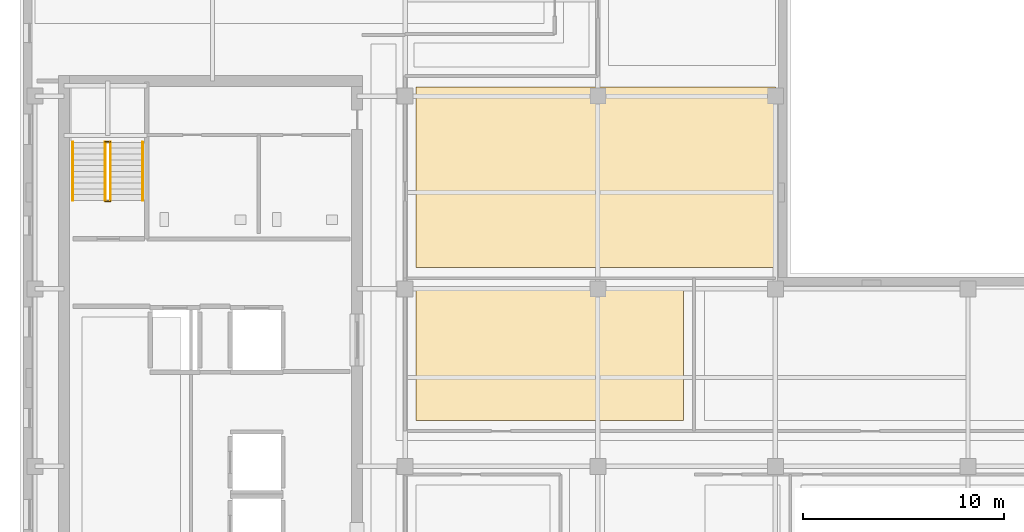
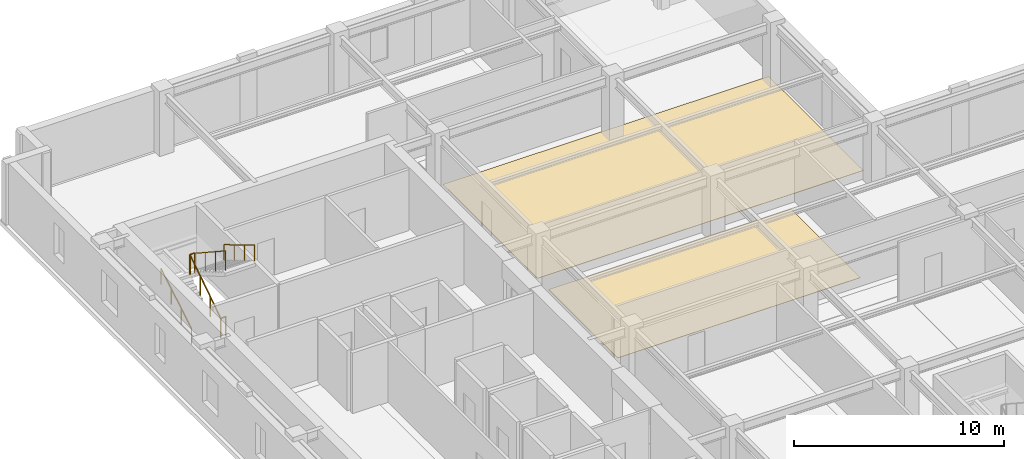
# One storey, part 9 of 11: 6 railings, 2 coverings.
"""IFC4 building model written with IfcOpenShell, lengths in metres."""

import ifcopenshell
import ifcopenshell.guid

model = None  # the IFC model being written
_history = None  # IfcOwnerHistory: only IFC2X3 demands one
_inside = {}  # id of a spatial element -> (the spatial element, [elements in it])
_under = {}  # id of a project, library or spatial element -> (it, [spatial elements below it])
_declared = {}  # id of a project -> (the project, [libraries it declares])
_typed = {}  # id of a type object -> (the type object, [elements of that type])
_made_of = {}  # id of a material, layer set ... -> (it, [elements and type objects made of it])


def new_model(schema):
    """Start an empty IFC model of exactly this schema.

    Asked for "IFC4X3", IfcOpenShell would pick the latest addendum, in which some entities
    have other attributes; the version numbers below select the first issue.
    IFC2X3 requires an IfcOwnerHistory on every rooted entity: one is made here for all.
    """
    global model, _history
    if schema == "IFC4X3":
        model = ifcopenshell.file(schema_version=(4, 3, 0, 0))
    else:
        model = ifcopenshell.file(schema=schema)
    _inside.clear()
    _under.clear()
    _declared.clear()
    _typed.clear()
    _made_of.clear()
    _history = None
    if model.schema == "IFC2X3":
        org = make("IfcOrganization", Name="unknown")
        user = make(
            "IfcPersonAndOrganization",
            ThePerson=make("IfcPerson", FamilyName="unknown"),
            TheOrganization=org,
        )
        app = make(
            "IfcApplication",
            ApplicationDeveloper=org,
            Version="unknown",
            ApplicationFullName="unknown",
            ApplicationIdentifier="unknown",
        )
        _history = make(
            "IfcOwnerHistory",
            OwningUser=user,
            OwningApplication=app,
            ChangeAction="ADDED",
            CreationDate=0,
        )
    return model


def make(cls, **values):
    """One entity of the class cls with the attributes given. An attribute that is None is left unset."""
    return model.create_entity(
        cls, **{name: value for name, value in values.items() if value is not None}
    )


def rooted(cls, **values):
    """An entity with a GlobalId (a new one), such as an element, a storey or a relation."""
    return make(cls, GlobalId=ifcopenshell.guid.new(), OwnerHistory=_history, **values)


def si_unit(unit_type, name, prefix=None):
    """IfcSIUnit, for example si_unit("LENGTHUNIT", "METRE", prefix="MILLI")."""
    return make("IfcSIUnit", UnitType=unit_type, Prefix=prefix, Name=name)


def assignment(units):
    """IfcUnitAssignment: the units of a project."""
    return None if units is None else make("IfcUnitAssignment", Units=units)


def point(xyz):
    """IfcCartesianPoint."""
    return None if xyz is None else make("IfcCartesianPoint", Coordinates=xyz)


def direction(xyz):
    """IfcDirection."""
    return None if xyz is None else make("IfcDirection", DirectionRatios=xyz)


def frame(location, z_axis=None, x_axis=None):
    """IfcAxis2Placement3D, a coordinate frame: its origin and axes. An axis left out is left unset."""
    return make(
        "IfcAxis2Placement3D",
        Location=point(location),
        Axis=direction(z_axis),
        RefDirection=direction(x_axis),
    )


def frame_2d(location, x_axis=None):
    """IfcAxis2Placement2D, a coordinate frame in the plane: its origin and x axis."""
    return make(
        "IfcAxis2Placement2D", Location=point(location), RefDirection=direction(x_axis)
    )


def origin():
    """The frame at (0, 0, 0) with its axes left unset."""
    return frame((0.0, 0.0, 0.0))


def origin_2d():
    """The frame at (0, 0) in the plane with its x axis left unset."""
    return frame_2d((0.0, 0.0))


def place(relative_to, where):
    """IfcLocalPlacement: puts the frame where relative to a parent placement (None: the world)."""
    return make(
        "IfcLocalPlacement", PlacementRelTo=relative_to, RelativePlacement=where
    )


def context(
    kind, dimensions, precision=None, world=None, true_north=None, identifier=None
):
    """IfcGeometricRepresentationContext, for example the 3D "Model" context."""
    return make(
        "IfcGeometricRepresentationContext",
        ContextIdentifier=identifier,
        ContextType=kind,
        CoordinateSpaceDimension=dimensions,
        Precision=precision,
        WorldCoordinateSystem=world,
        TrueNorth=true_north,
    )


def subcontext(parent, identifier, kind, view, scale=None):
    """IfcGeometricRepresentationSubContext, for example "Body" below "Model"."""
    return make(
        "IfcGeometricRepresentationSubContext",
        ContextIdentifier=identifier,
        ContextType=kind,
        ParentContext=parent,
        TargetScale=scale,
        TargetView=view,
    )


def project(units=None, contexts=None):
    """IfcProject with its units and contexts."""
    return rooted(
        "IfcProject",
        Name="project",
        RepresentationContexts=contexts,
        UnitsInContext=assignment(units),
    )


def spatial(cls, under=None, at=None, **own):
    """A site, building, storey or space (cls), placed at a placement, below another one or the project."""
    s = rooted(cls, ObjectPlacement=at, **own)
    if under is not None:
        _under.setdefault(under.id(), (under, []))[1].append(s)
    return s


def polyline(points):
    """IfcPolyline through the points."""
    return make("IfcPolyline", Points=[point(p) for p in points])


def profile(cls, at=None, kind="AREA", **sizes):
    """A parametric profile (cls). Its sizes go by their IFC names, for example OverallWidth=200.0."""
    return make(cls, ProfileType=kind, Position=at, **sizes)


def circle(**sizes):
    """IfcCircleProfileDef."""
    return profile("IfcCircleProfileDef", **sizes)


def outline(outer, holes=None, kind="AREA"):
    """IfcArbitraryClosedProfileDef: a profile drawn as a closed curve; with holes, ...WithVoids."""
    if holes is None:
        return make("IfcArbitraryClosedProfileDef", ProfileType=kind, OuterCurve=outer)
    return make(
        "IfcArbitraryProfileDefWithVoids",
        ProfileType=kind,
        OuterCurve=outer,
        InnerCurves=holes,
    )


def extrude(swept, where, along, depth):
    """IfcExtrudedAreaSolid: the profile swept, set in the frame where, extruded along a direction by depth."""
    return make(
        "IfcExtrudedAreaSolid",
        SweptArea=swept,
        Position=where,
        ExtrudedDirection=direction(along),
        Depth=depth,
    )


def shape(context_of_items, identifier, shape_type, items):
    """IfcShapeRepresentation: the items that make up one representation, for example the "Body"."""
    return make(
        "IfcShapeRepresentation",
        ContextOfItems=context_of_items,
        RepresentationIdentifier=identifier,
        RepresentationType=shape_type,
        Items=items,
    )


def material(Name=None, Category=None):
    """IfcMaterial."""
    return make("IfcMaterial", Name=Name, Category=Category)


def layer(
    of_material, thickness, ventilated=None, Name=None, Category=None, Priority=None
):
    """IfcMaterialLayer: one layer of a wall or slab, of a material (None: an air gap)."""
    return make(
        "IfcMaterialLayer",
        Material=of_material,
        LayerThickness=thickness,
        IsVentilated=ventilated,
        Name=Name,
        Category=Category,
        Priority=Priority,
    )


def layer_set(layers, Name=None):
    """IfcMaterialLayerSet."""
    return make("IfcMaterialLayerSet", MaterialLayers=layers, LayerSetName=Name)


def made_of(thing, what):
    """Note that an element or type object is made of a material, layer set ...; save() writes the relation."""
    if what is not None:
        _made_of.setdefault(what.id(), (what, []))[1].append(thing)
    return thing


def type_object(cls, material=None, **own):
    """A type object (cls), such as IfcWallType, which elements share."""
    return made_of(rooted(cls, **own), material)


def element(
    cls,
    number,
    at=None,
    inside=None,
    cuts=None,
    type_object=None,
    material=None,
    context=None,
    identifier="Body",
    shape_type=None,
    held_by="IfcProductDefinitionShape",
    body=None,
    shapes=None,
    **own,
):
    """One element of the class cls, such as IfcWall. Its Tag is "e" and its number.

    at: its placement. inside: the storey or other place that contains it. cuts: it is an
    opening in that element (IfcRelVoidsElement). A single representation is given by context,
    identifier, shape_type and body (its items); several are given by shapes. held_by: the class
    of the entity that holds the representations. save() writes the other relations.
    """
    e = rooted(cls, Tag="e%d" % number, ObjectPlacement=at, **own)
    if body is not None:
        shapes = [shape(context, identifier, shape_type, body)]
    if shapes is not None:
        e.Representation = make(held_by, Representations=shapes)
    if inside is not None:
        _inside.setdefault(inside.id(), (inside, []))[1].append(e)
    if cuts is not None:
        rooted(
            "IfcRelVoidsElement", RelatingBuildingElement=cuts, RelatedOpeningElement=e
        )
    if type_object is not None:
        _typed.setdefault(type_object.id(), (type_object, []))[1].append(e)
    return made_of(e, material)


def aggregate(whole, parts):
    """IfcRelAggregates: a whole, such as a stair, and the parts it consists of."""
    return rooted("IfcRelAggregates", RelatingObject=whole, RelatedObjects=parts)


def save(model, path):
    """Write the relations noted so far, then the file.

    IfcRelAggregates (storeys below a building ...), IfcRelContainedInSpatialStructure (elements
    in a storey), IfcRelDefinesByType, IfcRelAssociatesMaterial and IfcRelDeclares: one each for
    every whole, place, type object, material and project.
    """
    for whole, parts in _under.values():
        aggregate(whole, parts)
    for where, things in _inside.values():
        rooted(
            "IfcRelContainedInSpatialStructure",
            RelatedElements=things,
            RelatingStructure=where,
        )
    for kind, things in _typed.values():
        rooted("IfcRelDefinesByType", RelatedObjects=things, RelatingType=kind)
    for what, things in _made_of.values():
        rooted("IfcRelAssociatesMaterial", RelatedObjects=things, RelatingMaterial=what)
    for by, libraries in _declared.values():
        rooted("IfcRelDeclares", RelatingContext=by, RelatedDefinitions=libraries)
    model.write(path)


model = new_model("IFC4")

# Units and contexts
model_context = context("Model", 3, precision=1e-05, world=origin(), true_north=direction((0.0, 1.0)))
body_context = subcontext(model_context, "Body", "Model", "MODEL_VIEW")
ifc_project = project(units=[si_unit("LENGTHUNIT", "METRE"), si_unit("AREAUNIT", "SQUARE_METRE"), si_unit("VOLUMEUNIT", "CUBIC_METRE"), si_unit("PLANEANGLEUNIT", "RADIAN"), si_unit("MASSUNIT", "GRAM", prefix="KILO")], contexts=[model_context])

# Site, building, storey
site_placement = place(None, origin())
site = spatial("IfcSite", under=ifc_project, at=site_placement, CompositionType="ELEMENT")
building_placement = place(site_placement, origin())
building = spatial("IfcBuilding", under=site, at=building_placement, Name="Norrvale University Quadrangle", CompositionType="ELEMENT")
storey_placement = place(building_placement, frame((0.0, 0.0, 248.39990234375)))
storey = spatial("IfcBuildingStorey", under=building, at=storey_placement, Name="L63", CompositionType="ELEMENT", Elevation=248.39990234375)

# Coverings
ifc_material_1 = material(Name="Polished Terrazzo Flooring")
ifc_layer = layer(ifc_material_1, 0.02490234375, Name="Polished Terrazzo Flooring")
ifc_layer_set = layer_set([ifc_layer], Name="Polished Terrazzo Flooring")
covering_type = type_object("IfcCoveringType", Name="Covering Terrazzo Floor 30", PredefinedType="FLOORING", material=ifc_layer_set)
covering_1_placement = place(storey_placement, origin())
element("IfcCovering", 1, at=covering_1_placement, inside=storey, type_object=covering_type, Name="Terrazzo Flooring RM-L63-ME01", PredefinedType="FLOORING", context=body_context, shape_type="SweptSolid", body=[
    extrude(outline(polyline([(19.72998046875, 37.64990234375), (33.070068359375, 37.64990234375), (33.070068359375, 31.080078125), (19.72998046875, 31.080078125), (19.72998046875, 37.64990234375)])), origin(), (0.0, 0.0, 1.0), 0.025146484375),
])
covering_2_placement = place(storey_placement, origin())
element("IfcCovering", 2, at=covering_2_placement, inside=storey, type_object=covering_type, Name="Terrazzo Flooring RM-L63-MNE01", PredefinedType="FLOORING", context=body_context, shape_type="SweptSolid", body=[
    extrude(outline(polyline([(19.72998046875, 47.719970703125), (37.64990234375, 47.719970703125), (37.64990234375, 38.7099609375), (19.72998046875, 38.7099609375), (19.72998046875, 47.719970703125)])), origin(), (0.0, 0.0, 1.0), 0.025146484375),
])

# Railings
ifc_material_2 = material(Name="Steel 350W Painted Balustrade", Category="steel")
railing_type_1 = type_object("IfcRailingType", Name="Railing Stair Guard 1100", PredefinedType="GUARDRAIL", material=ifc_material_2)
for number, where, name in (
    (3, (4.239990234375, 42.02001953125, 0.0), "Stair Floor Well Guard ST-02 L63"),
    (4, (4.239990234375, 44.97998046875, 1.900146484375), "Stair Mid-Landing Slot Guard ST-02 L63"),
):
    element("IfcRailing", number, at=place(storey_placement, frame(where)), inside=storey, type_object=railing_type_1, Name=name, PredefinedType="GUARDRAIL", context=body_context, shape_type="SweptSolid", body=[
        extrude(circle(Radius=0.02392578125, at=origin_2d()), frame((0.0, 0.0, 1.1259765625), z_axis=(1.0, 0.0, 0.0), x_axis=(0.0, 1.0, 0.0)), (0.0, 0.0, 1.0), 0.27001953125),
        extrude(circle(Radius=0.02099609375, at=origin_2d()), origin(), (0.0, 0.0, 1.0), 1.101806640625),
        extrude(circle(Radius=0.02099609375, at=origin_2d()), frame((0.27001953125, 0.0, 0.0)), (0.0, 0.0, 1.0), 1.101806640625),
    ])
railing_1_placement = place(storey_placement, frame((4.239990234375, 42.050048828125, 0.0)))
element("IfcRailing", 5, at=railing_1_placement, inside=storey, type_object=railing_type_1, Name="Stair Lower Flight Inner Guard ST-02 L63", PredefinedType="GUARDRAIL", context=body_context, shape_type="SweptSolid", body=[
    extrude(circle(Radius=0.02392578125, at=origin_2d()), frame((0.0, 0.0, 1.1259765625), z_axis=(0.0, 0.836433300813, 0.548068730445), x_axis=(-1.0, 0.0, 0.0)), (0.0, 0.0, 1.0), 3.467041015625),
    extrude(circle(Radius=0.02099609375, at=origin_2d()), origin(), (0.0, 0.0, 1.0), 1.101806640625),
    extrude(circle(Radius=0.02099609375, at=origin_2d()), frame((0.0, 0.966552734375, 0.63330078125)), (0.0, 0.0, 1.0), 1.101806640625),
    extrude(circle(Radius=0.02099609375, at=origin_2d()), frame((0.0, 1.933349609375, 1.266845703125)), (0.0, 0.0, 1.0), 1.101806640625),
    extrude(circle(Radius=0.02099609375, at=origin_2d()), frame((0.0, 2.89990234375, 1.900146484375)), (0.0, 0.0, 1.0), 1.101806640625),
])
railing_2_placement = place(storey_placement, frame((4.510009765625, 44.949951171875, 1.900146484375)))
element("IfcRailing", 6, at=railing_2_placement, inside=storey, type_object=railing_type_1, Name="Stair Upper Flight Inner Guard ST-02 L63", PredefinedType="GUARDRAIL", context=body_context, shape_type="SweptSolid", body=[
    extrude(circle(Radius=0.02392578125, at=origin_2d()), frame((0.0, 0.0, 1.1259765625), z_axis=(0.0, -0.836465582154, 0.548019461216), x_axis=(1.0, 0.0, 0.0)), (0.0, 0.0, 1.0), 3.466796875),
    extrude(circle(Radius=0.02099609375, at=origin_2d()), origin(), (0.0, 0.0, 1.0), 1.101806640625),
    extrude(circle(Radius=0.02099609375, at=origin_2d()), frame((0.0, -0.966552734375, 0.63330078125)), (0.0, 0.0, 1.0), 1.101806640625),
    extrude(circle(Radius=0.02099609375, at=origin_2d()), frame((0.0, -1.933349609375, 1.2666015625)), (0.0, 0.0, 1.0), 1.101806640625),
    extrude(circle(Radius=0.02099609375, at=origin_2d()), frame((0.0, -2.89990234375, 1.89990234375)), (0.0, 0.0, 1.0), 1.101806640625),
])
ifc_material_3 = material(Name="Stainless Steel 316L Handrail", Category="steel")
railing_type_2 = type_object("IfcRailingType", Name="Railing Stair Handrail 920", PredefinedType="HANDRAIL", material=ifc_material_3)
railing_3_placement = place(storey_placement, frame((2.639892578125, 42.050048828125, 0.1728515625)))
element("IfcRailing", 7, at=railing_3_placement, inside=storey, type_object=railing_type_2, Name="Stair Lower Flight Handrail ST-02 L63", PredefinedType="HANDRAIL", context=body_context, shape_type="SweptSolid", body=[
    extrude(circle(Radius=0.02392578125, at=origin_2d()), frame((0.0, 0.0, 0.89599609375), z_axis=(0.0, 0.859141464434, 0.511738159696), x_axis=(-1.0, 0.0, 0.0)), (0.0, 0.0, 1.0), 3.375244140625),
    extrude(circle(Radius=0.02099609375, at=origin_2d()), origin(), (0.0, 0.0, 1.0), 0.871826171875),
    extrude(circle(Radius=0.02099609375, at=origin_2d()), frame((0.0, 0.966552734375, 0.57568359375)), (0.0, 0.0, 1.0), 0.871826171875),
    extrude(circle(Radius=0.02099609375, at=origin_2d()), frame((0.0, 1.933349609375, 1.151611328125)), (0.0, 0.0, 1.0), 0.871826171875),
    extrude(circle(Radius=0.02099609375, at=origin_2d()), frame((0.0, 2.89990234375, 1.727294921875)), (0.0, 0.0, 1.0), 0.871826171875),
])
railing_4_placement = place(storey_placement, frame((6.110107421875, 44.949951171875, 2.07275390625)))
element("IfcRailing", 8, at=railing_4_placement, inside=storey, type_object=railing_type_2, Name="Stair Upper Flight Handrail ST-02 L63", PredefinedType="HANDRAIL", context=body_context, shape_type="SweptSolid", body=[
    extrude(circle(Radius=0.02392578125, at=origin_2d()), frame((0.0, 0.0, 0.89599609375), z_axis=(0.0, -0.859141464434, 0.511738159696), x_axis=(1.0, 0.0, 0.0)), (0.0, 0.0, 1.0), 3.375244140625),
    extrude(circle(Radius=0.02099609375, at=origin_2d()), origin(), (0.0, 0.0, 1.0), 0.871826171875),
    extrude(circle(Radius=0.02099609375, at=origin_2d()), frame((0.0, -0.966552734375, 0.57568359375)), (0.0, 0.0, 1.0), 0.871826171875),
    extrude(circle(Radius=0.02099609375, at=origin_2d()), frame((0.0, -1.933349609375, 1.151611328125)), (0.0, 0.0, 1.0), 0.871826171875),
    extrude(circle(Radius=0.02099609375, at=origin_2d()), frame((0.0, -2.89990234375, 1.727294921875)), (0.0, 0.0, 1.0), 0.871826171875),
])

save(model, "model.ifc")
